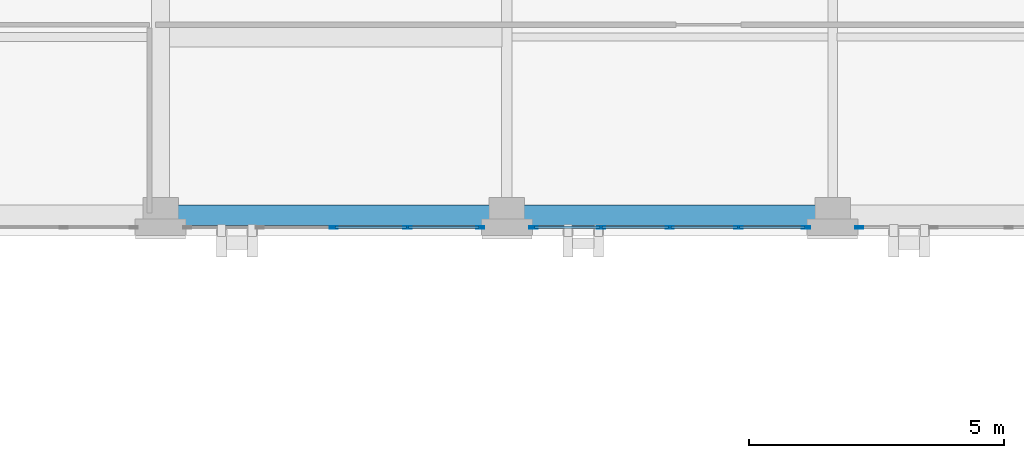
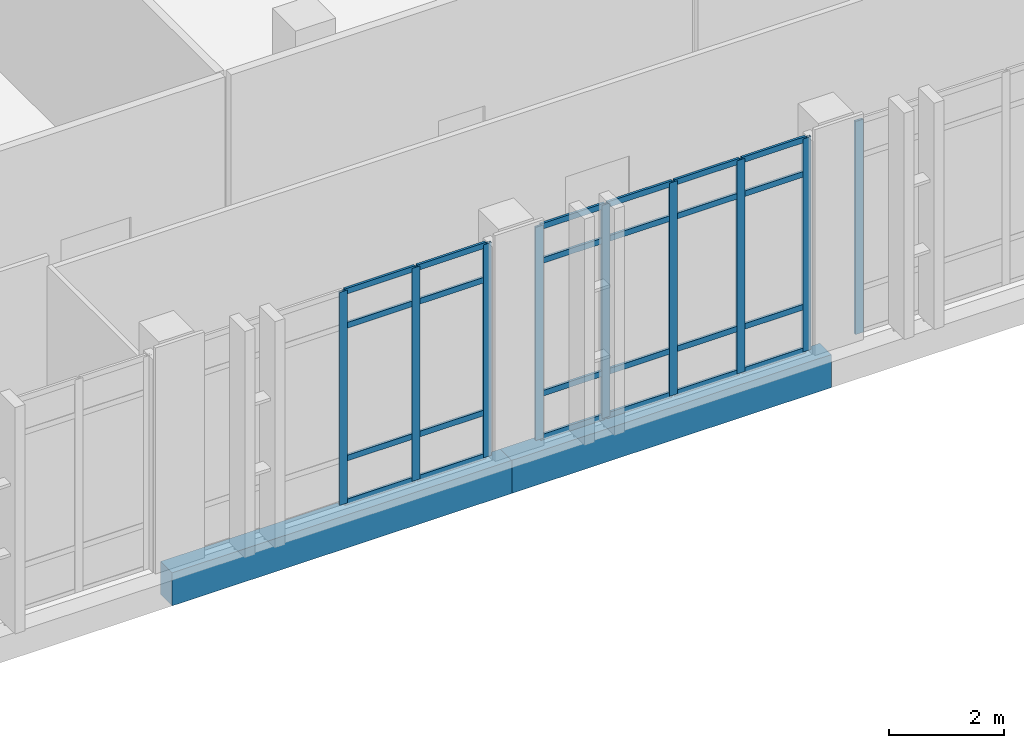
# One storey, part 84 of 189: 33 members, 2 beams, 3 elements without a shape of their own.
"""IFC4 building model written with IfcOpenShell, lengths in metres."""

from ifc_helpers import new_model, si_unit, direction, frame, origin, origin_2d, place, context, subcontext, project, spatial, rectangle, hollow_rectangle, extrude, material, layer, layer_set, material_profile, profile_set, type_object, element, aggregate, save


model = new_model("IFC4")

# Units and contexts
model_context = context("Model", 3, precision=1e-05, world=origin(), true_north=direction((0.0, 1.0)))
body_context = subcontext(model_context, "Body", "Model", "MODEL_VIEW")
ifc_project = project(units=[si_unit("LENGTHUNIT", "METRE"), si_unit("AREAUNIT", "SQUARE_METRE"), si_unit("VOLUMEUNIT", "CUBIC_METRE"), si_unit("PLANEANGLEUNIT", "RADIAN"), si_unit("MASSUNIT", "GRAM", prefix="KILO")], contexts=[model_context])

# Site, building, storey
site_placement = place(None, origin())
site = spatial("IfcSite", under=ifc_project, at=site_placement, CompositionType="ELEMENT")
building_placement = place(site_placement, origin())
building = spatial("IfcBuilding", under=site, at=building_placement, Name="Qalavern Law Courts", CompositionType="ELEMENT")
storey_placement = place(building_placement, frame((0.0, 0.0, 5.39990234375)))
storey = spatial("IfcBuildingStorey", under=building, at=storey_placement, Name="L01", CompositionType="ELEMENT", Elevation=5.39990234375)

# Curtain wall, members
ifc_material_1 = material(Name="Anodised aluminium and insulated glazing", Category="aluminium")
ifc_layer = layer(ifc_material_1, 0.166015625)
ifc_layer_set = layer_set([ifc_layer], Name="Anodised aluminium and insulated glazing")
curtain_wall_type = type_object("IfcCurtainWallType", Name="ENV-CW-LIB", PredefinedType="USERDEFINED", material=ifc_layer_set)
curtain_wall_1_placement = place(storey_placement, origin())
curtain_wall_1 = element("IfcCurtainWall", 1, at=curtain_wall_1_placement, inside=storey, type_object=curtain_wall_type, Name="V5 unitised curtain wall L01 south 4", ObjectType="UNITISED CURTAIN WALL", PredefinedType="USERDEFINED")
ifc_material_2 = material(Name="Anodised aluminium", Category="aluminium")
ifc_material_profile_1 = material_profile(ifc_material_2, hollow_rectangle(XDim=0.048095703125, YDim=0.159912109375, WallThickness=0.00390625, at=origin_2d()), Name="ALU MULLION 48x160")
ifc_profile_set_1 = profile_set([ifc_material_profile_1], Name="Anodised aluminium")
member_type_1 = type_object("IfcMemberType", Name="ENV-CWM-48x160", PredefinedType="MULLION", material=ifc_profile_set_1)
member_1_placement = place(storey_placement, frame((48.199951171875, 96.362548828125, 0.0), z_axis=(0.0, 0.0, 1.0), x_axis=(0.0, 1.0, 0.0)))
member_1 = element("IfcMember", 2, at=member_1_placement, type_object=member_type_1, Name="CW-05 mullion 3", PredefinedType="MULLION", context=body_context, shape_type="SweptSolid", body=[
    extrude(hollow_rectangle(XDim=0.048095703125, YDim=0.159912109375, WallThickness=0.00390625, at=origin_2d()), origin(), (0.0, 0.0, 1.0), 4.510009765625),
])
member_2_placement = place(storey_placement, frame((49.64990234375, 96.362548828125, 0.0), z_axis=(0.0, 0.0, 1.0), x_axis=(0.0, 1.0, 0.0)))
member_2 = element("IfcMember", 3, at=member_2_placement, type_object=member_type_1, Name="CW-05 mullion 4", PredefinedType="MULLION", context=body_context, shape_type="SweptSolid", body=[
    extrude(hollow_rectangle(XDim=0.048095703125, YDim=0.159912109375, WallThickness=0.00390625, at=origin_2d()), origin(), (0.0, 0.0, 1.0), 4.510009765625),
])
member_3_placement = place(storey_placement, frame((51.075927734375, 96.362548828125, 0.0), z_axis=(0.0, 0.0, 1.0), x_axis=(0.0, 1.0, 0.0)))
member_3 = element("IfcMember", 4, at=member_3_placement, type_object=member_type_1, Name="CW-05 mullion 5", PredefinedType="MULLION", context=body_context, shape_type="SweptSolid", body=[
    extrude(hollow_rectangle(XDim=0.048095703125, YDim=0.159912109375, WallThickness=0.00390625, at=origin_2d()), origin(), (0.0, 0.0, 1.0), 4.510009765625),
])

curtain_wall_2_placement = place(storey_placement, origin())
curtain_wall_2 = element("IfcCurtainWall", 5, at=curtain_wall_2_placement, inside=storey, type_object=curtain_wall_type, Name="V5 unitised curtain wall L01 south 5", ObjectType="UNITISED CURTAIN WALL", PredefinedType="USERDEFINED")
member_4_placement = place(storey_placement, frame((52.1240234375, 96.362548828125, 0.0), z_axis=(0.0, 0.0, 1.0), x_axis=(0.0, 1.0, 0.0)))
member_4 = element("IfcMember", 6, at=member_4_placement, type_object=member_type_1, Name="CW-05 mullion 1", PredefinedType="MULLION", context=body_context, shape_type="SweptSolid", body=[
    extrude(hollow_rectangle(XDim=0.048095703125, YDim=0.159912109375, WallThickness=0.00390625, at=origin_2d()), origin(), (0.0, 0.0, 1.0), 4.510009765625),
])
member_5_placement = place(storey_placement, frame((53.449951171875, 96.362548828125, 0.0), z_axis=(0.0, 0.0, 1.0), x_axis=(0.0, 1.0, 0.0)))
member_5 = element("IfcMember", 7, at=member_5_placement, type_object=member_type_1, Name="CW-05 mullion 2", PredefinedType="MULLION", context=body_context, shape_type="SweptSolid", body=[
    extrude(hollow_rectangle(XDim=0.048095703125, YDim=0.159912109375, WallThickness=0.00390625, at=origin_2d()), origin(), (0.0, 0.0, 1.0), 4.510009765625),
])
member_6_placement = place(storey_placement, frame((54.800048828125, 96.362548828125, 0.0), z_axis=(0.0, 0.0, 1.0), x_axis=(0.0, 1.0, 0.0)))
member_6 = element("IfcMember", 8, at=member_6_placement, type_object=member_type_1, Name="CW-05 mullion 3", PredefinedType="MULLION", context=body_context, shape_type="SweptSolid", body=[
    extrude(hollow_rectangle(XDim=0.048095703125, YDim=0.159912109375, WallThickness=0.00390625, at=origin_2d()), origin(), (0.0, 0.0, 1.0), 4.510009765625),
])
member_7_placement = place(storey_placement, frame((56.14990234375, 96.362548828125, 0.0), z_axis=(0.0, 0.0, 1.0), x_axis=(0.0, 1.0, 0.0)))
member_7 = element("IfcMember", 9, at=member_7_placement, type_object=member_type_1, Name="CW-05 mullion 4", PredefinedType="MULLION", context=body_context, shape_type="SweptSolid", body=[
    extrude(hollow_rectangle(XDim=0.048095703125, YDim=0.159912109375, WallThickness=0.00390625, at=origin_2d()), origin(), (0.0, 0.0, 1.0), 4.510009765625),
])
member_8_placement = place(storey_placement, frame((57.47607421875, 96.362548828125, 0.0), z_axis=(0.0, 0.0, 1.0), x_axis=(0.0, 1.0, 0.0)))
member_8 = element("IfcMember", 10, at=member_8_placement, type_object=member_type_1, Name="CW-05 mullion 5", PredefinedType="MULLION", context=body_context, shape_type="SweptSolid", body=[
    extrude(hollow_rectangle(XDim=0.048095703125, YDim=0.159912109375, WallThickness=0.00390625, at=origin_2d()), origin(), (0.0, 0.0, 1.0), 4.510009765625),
])

# Curtain wall, member
curtain_wall_3_placement = place(storey_placement, origin())
curtain_wall_3 = element("IfcCurtainWall", 11, at=curtain_wall_3_placement, inside=storey, type_object=curtain_wall_type, Name="V5 unitised curtain wall L01 south 6", ObjectType="UNITISED CURTAIN WALL", PredefinedType="USERDEFINED")
member_9_placement = place(storey_placement, frame((58.52392578125, 96.362548828125, 0.0), z_axis=(0.0, 0.0, 1.0), x_axis=(0.0, 1.0, 0.0)))
member_9 = element("IfcMember", 12, at=member_9_placement, type_object=member_type_1, Name="CW-05 mullion 1", PredefinedType="MULLION", context=body_context, shape_type="SweptSolid", body=[
    extrude(hollow_rectangle(XDim=0.048095703125, YDim=0.159912109375, WallThickness=0.00390625, at=origin_2d()), origin(), (0.0, 0.0, 1.0), 4.510009765625),
])
aggregate(curtain_wall_3, [member_9])

# Member
ifc_material_profile_2 = material_profile(ifc_material_2, hollow_rectangle(XDim=0.048095703125, YDim=0.1201171875, WallThickness=0.00390625, at=origin_2d()), Name="ALU TRANSOM 48x120")
ifc_profile_set_2 = profile_set([ifc_material_profile_2], Name="Anodised aluminium")
member_type_2 = type_object("IfcMemberType", Name="ENV-CWT-48x120", PredefinedType="USERDEFINED", material=ifc_profile_set_2)
member_10_placement = place(storey_placement, frame((48.22412109375, 96.362548828125, 0.024169921875), z_axis=(1.0, 0.0, 0.0), x_axis=(0.0, 1.0, 0.0)))
member_10 = element("IfcMember", 13, at=member_10_placement, type_object=member_type_2, Name="CW-05 transom 3.1", ObjectType="TRANSOM", PredefinedType="USERDEFINED", context=body_context, shape_type="SweptSolid", body=[
    extrude(hollow_rectangle(XDim=0.048095703125, YDim=0.1201171875, WallThickness=0.00390625, at=origin_2d()), origin(), (0.0, 0.0, 1.0), 1.40185546875),
])

member_11_placement = place(storey_placement, frame((48.22412109375, 96.362548828125, 0.9501953125), z_axis=(1.0, 0.0, 0.0), x_axis=(0.0, 1.0, 0.0)))
member_11 = element("IfcMember", 14, at=member_11_placement, type_object=member_type_2, Name="CW-05 transom 3.2", ObjectType="TRANSOM", PredefinedType="USERDEFINED", context=body_context, shape_type="SweptSolid", body=[
    extrude(hollow_rectangle(XDim=0.048095703125, YDim=0.1201171875, WallThickness=0.00390625, at=origin_2d()), origin(), (0.0, 0.0, 1.0), 1.40185546875),
])

member_12_placement = place(storey_placement, frame((48.22412109375, 96.362548828125, 3.760009765625), z_axis=(1.0, 0.0, 0.0), x_axis=(0.0, 1.0, 0.0)))
member_12 = element("IfcMember", 15, at=member_12_placement, type_object=member_type_2, Name="CW-05 transom 3.3", ObjectType="TRANSOM", PredefinedType="USERDEFINED", context=body_context, shape_type="SweptSolid", body=[
    extrude(hollow_rectangle(XDim=0.048095703125, YDim=0.1201171875, WallThickness=0.00390625, at=origin_2d()), origin(), (0.0, 0.0, 1.0), 1.40185546875),
])

member_13_placement = place(storey_placement, frame((48.22412109375, 96.362548828125, 4.486083984375), z_axis=(1.0, 0.0, 0.0), x_axis=(0.0, 1.0, 0.0)))
member_13 = element("IfcMember", 16, at=member_13_placement, type_object=member_type_2, Name="CW-05 transom 3.4", ObjectType="TRANSOM", PredefinedType="USERDEFINED", context=body_context, shape_type="SweptSolid", body=[
    extrude(hollow_rectangle(XDim=0.048095703125, YDim=0.1201171875, WallThickness=0.00390625, at=origin_2d()), origin(), (0.0, 0.0, 1.0), 1.40185546875),
])

member_14_placement = place(storey_placement, frame((49.674072265625, 96.362548828125, 0.024169921875), z_axis=(1.0, 0.0, 0.0), x_axis=(0.0, 1.0, 0.0)))
member_14 = element("IfcMember", 17, at=member_14_placement, type_object=member_type_2, Name="CW-05 transom 4.1", ObjectType="TRANSOM", PredefinedType="USERDEFINED", context=body_context, shape_type="SweptSolid", body=[
    extrude(hollow_rectangle(XDim=0.048095703125, YDim=0.1201171875, WallThickness=0.00390625, at=origin_2d()), origin(), (0.0, 0.0, 1.0), 1.3779296875),
])

member_15_placement = place(storey_placement, frame((49.674072265625, 96.362548828125, 0.9501953125), z_axis=(1.0, 0.0, 0.0), x_axis=(0.0, 1.0, 0.0)))
member_15 = element("IfcMember", 18, at=member_15_placement, type_object=member_type_2, Name="CW-05 transom 4.2", ObjectType="TRANSOM", PredefinedType="USERDEFINED", context=body_context, shape_type="SweptSolid", body=[
    extrude(hollow_rectangle(XDim=0.048095703125, YDim=0.1201171875, WallThickness=0.00390625, at=origin_2d()), origin(), (0.0, 0.0, 1.0), 1.3779296875),
])

member_16_placement = place(storey_placement, frame((49.674072265625, 96.362548828125, 3.760009765625), z_axis=(1.0, 0.0, 0.0), x_axis=(0.0, 1.0, 0.0)))
member_16 = element("IfcMember", 19, at=member_16_placement, type_object=member_type_2, Name="CW-05 transom 4.3", ObjectType="TRANSOM", PredefinedType="USERDEFINED", context=body_context, shape_type="SweptSolid", body=[
    extrude(hollow_rectangle(XDim=0.048095703125, YDim=0.1201171875, WallThickness=0.00390625, at=origin_2d()), origin(), (0.0, 0.0, 1.0), 1.3779296875),
])

member_17_placement = place(storey_placement, frame((49.674072265625, 96.362548828125, 4.486083984375), z_axis=(1.0, 0.0, 0.0), x_axis=(0.0, 1.0, 0.0)))
member_17 = element("IfcMember", 20, at=member_17_placement, type_object=member_type_2, Name="CW-05 transom 4.4", ObjectType="TRANSOM", PredefinedType="USERDEFINED", context=body_context, shape_type="SweptSolid", body=[
    extrude(hollow_rectangle(XDim=0.048095703125, YDim=0.1201171875, WallThickness=0.00390625, at=origin_2d()), origin(), (0.0, 0.0, 1.0), 1.3779296875),
])

aggregate(curtain_wall_1, [member_1, member_2, member_3, member_10, member_11, member_12, member_13, member_14, member_15, member_16, member_17])

member_18_placement = place(storey_placement, frame((52.14794921875, 96.362548828125, 0.024169921875), z_axis=(1.0, 0.0, 0.0), x_axis=(0.0, 1.0, 0.0)))
member_18 = element("IfcMember", 21, at=member_18_placement, type_object=member_type_2, Name="CW-05 transom 1.1", ObjectType="TRANSOM", PredefinedType="USERDEFINED", context=body_context, shape_type="SweptSolid", body=[
    extrude(hollow_rectangle(XDim=0.048095703125, YDim=0.1201171875, WallThickness=0.00390625, at=origin_2d()), origin(), (0.0, 0.0, 1.0), 1.278076171875),
])

member_19_placement = place(storey_placement, frame((52.14794921875, 96.362548828125, 0.9501953125), z_axis=(1.0, 0.0, 0.0), x_axis=(0.0, 1.0, 0.0)))
member_19 = element("IfcMember", 22, at=member_19_placement, type_object=member_type_2, Name="CW-05 transom 1.2", ObjectType="TRANSOM", PredefinedType="USERDEFINED", context=body_context, shape_type="SweptSolid", body=[
    extrude(hollow_rectangle(XDim=0.048095703125, YDim=0.1201171875, WallThickness=0.00390625, at=origin_2d()), origin(), (0.0, 0.0, 1.0), 1.278076171875),
])

member_20_placement = place(storey_placement, frame((52.14794921875, 96.362548828125, 3.760009765625), z_axis=(1.0, 0.0, 0.0), x_axis=(0.0, 1.0, 0.0)))
member_20 = element("IfcMember", 23, at=member_20_placement, type_object=member_type_2, Name="CW-05 transom 1.3", ObjectType="TRANSOM", PredefinedType="USERDEFINED", context=body_context, shape_type="SweptSolid", body=[
    extrude(hollow_rectangle(XDim=0.048095703125, YDim=0.1201171875, WallThickness=0.00390625, at=origin_2d()), origin(), (0.0, 0.0, 1.0), 1.278076171875),
])

member_21_placement = place(storey_placement, frame((52.14794921875, 96.362548828125, 4.486083984375), z_axis=(1.0, 0.0, 0.0), x_axis=(0.0, 1.0, 0.0)))
member_21 = element("IfcMember", 24, at=member_21_placement, type_object=member_type_2, Name="CW-05 transom 1.4", ObjectType="TRANSOM", PredefinedType="USERDEFINED", context=body_context, shape_type="SweptSolid", body=[
    extrude(hollow_rectangle(XDim=0.048095703125, YDim=0.1201171875, WallThickness=0.00390625, at=origin_2d()), origin(), (0.0, 0.0, 1.0), 1.278076171875),
])

member_22_placement = place(storey_placement, frame((53.47412109375, 96.362548828125, 0.024169921875), z_axis=(1.0, 0.0, 0.0), x_axis=(0.0, 1.0, 0.0)))
member_22 = element("IfcMember", 25, at=member_22_placement, type_object=member_type_2, Name="CW-05 transom 2.1", ObjectType="TRANSOM", PredefinedType="USERDEFINED", context=body_context, shape_type="SweptSolid", body=[
    extrude(hollow_rectangle(XDim=0.048095703125, YDim=0.1201171875, WallThickness=0.00390625, at=origin_2d()), origin(), (0.0, 0.0, 1.0), 1.3017578125),
])

member_23_placement = place(storey_placement, frame((53.47412109375, 96.362548828125, 0.9501953125), z_axis=(1.0, 0.0, 0.0), x_axis=(0.0, 1.0, 0.0)))
member_23 = element("IfcMember", 26, at=member_23_placement, type_object=member_type_2, Name="CW-05 transom 2.2", ObjectType="TRANSOM", PredefinedType="USERDEFINED", context=body_context, shape_type="SweptSolid", body=[
    extrude(hollow_rectangle(XDim=0.048095703125, YDim=0.1201171875, WallThickness=0.00390625, at=origin_2d()), origin(), (0.0, 0.0, 1.0), 1.3017578125),
])

member_24_placement = place(storey_placement, frame((53.47412109375, 96.362548828125, 3.760009765625), z_axis=(1.0, 0.0, 0.0), x_axis=(0.0, 1.0, 0.0)))
member_24 = element("IfcMember", 27, at=member_24_placement, type_object=member_type_2, Name="CW-05 transom 2.3", ObjectType="TRANSOM", PredefinedType="USERDEFINED", context=body_context, shape_type="SweptSolid", body=[
    extrude(hollow_rectangle(XDim=0.048095703125, YDim=0.1201171875, WallThickness=0.00390625, at=origin_2d()), origin(), (0.0, 0.0, 1.0), 1.3017578125),
])

member_25_placement = place(storey_placement, frame((53.47412109375, 96.362548828125, 4.486083984375), z_axis=(1.0, 0.0, 0.0), x_axis=(0.0, 1.0, 0.0)))
member_25 = element("IfcMember", 28, at=member_25_placement, type_object=member_type_2, Name="CW-05 transom 2.4", ObjectType="TRANSOM", PredefinedType="USERDEFINED", context=body_context, shape_type="SweptSolid", body=[
    extrude(hollow_rectangle(XDim=0.048095703125, YDim=0.1201171875, WallThickness=0.00390625, at=origin_2d()), origin(), (0.0, 0.0, 1.0), 1.3017578125),
])

member_26_placement = place(storey_placement, frame((54.823974609375, 96.362548828125, 0.024169921875), z_axis=(1.0, 0.0, 0.0), x_axis=(0.0, 1.0, 0.0)))
member_26 = element("IfcMember", 29, at=member_26_placement, type_object=member_type_2, Name="CW-05 transom 3.1", ObjectType="TRANSOM", PredefinedType="USERDEFINED", context=body_context, shape_type="SweptSolid", body=[
    extrude(hollow_rectangle(XDim=0.048095703125, YDim=0.1201171875, WallThickness=0.00390625, at=origin_2d()), origin(), (0.0, 0.0, 1.0), 1.302001953125),
])

member_27_placement = place(storey_placement, frame((54.823974609375, 96.362548828125, 0.9501953125), z_axis=(1.0, 0.0, 0.0), x_axis=(0.0, 1.0, 0.0)))
member_27 = element("IfcMember", 30, at=member_27_placement, type_object=member_type_2, Name="CW-05 transom 3.2", ObjectType="TRANSOM", PredefinedType="USERDEFINED", context=body_context, shape_type="SweptSolid", body=[
    extrude(hollow_rectangle(XDim=0.048095703125, YDim=0.1201171875, WallThickness=0.00390625, at=origin_2d()), origin(), (0.0, 0.0, 1.0), 1.302001953125),
])

member_28_placement = place(storey_placement, frame((54.823974609375, 96.362548828125, 3.760009765625), z_axis=(1.0, 0.0, 0.0), x_axis=(0.0, 1.0, 0.0)))
member_28 = element("IfcMember", 31, at=member_28_placement, type_object=member_type_2, Name="CW-05 transom 3.3", ObjectType="TRANSOM", PredefinedType="USERDEFINED", context=body_context, shape_type="SweptSolid", body=[
    extrude(hollow_rectangle(XDim=0.048095703125, YDim=0.1201171875, WallThickness=0.00390625, at=origin_2d()), origin(), (0.0, 0.0, 1.0), 1.302001953125),
])

member_29_placement = place(storey_placement, frame((54.823974609375, 96.362548828125, 4.486083984375), z_axis=(1.0, 0.0, 0.0), x_axis=(0.0, 1.0, 0.0)))
member_29 = element("IfcMember", 32, at=member_29_placement, type_object=member_type_2, Name="CW-05 transom 3.4", ObjectType="TRANSOM", PredefinedType="USERDEFINED", context=body_context, shape_type="SweptSolid", body=[
    extrude(hollow_rectangle(XDim=0.048095703125, YDim=0.1201171875, WallThickness=0.00390625, at=origin_2d()), origin(), (0.0, 0.0, 1.0), 1.302001953125),
])

member_30_placement = place(storey_placement, frame((56.174072265625, 96.362548828125, 0.024169921875), z_axis=(1.0, 0.0, 0.0), x_axis=(0.0, 1.0, 0.0)))
member_30 = element("IfcMember", 33, at=member_30_placement, type_object=member_type_2, Name="CW-05 transom 4.1", ObjectType="TRANSOM", PredefinedType="USERDEFINED", context=body_context, shape_type="SweptSolid", body=[
    extrude(hollow_rectangle(XDim=0.048095703125, YDim=0.1201171875, WallThickness=0.00390625, at=origin_2d()), origin(), (0.0, 0.0, 1.0), 1.27783203125),
])

member_31_placement = place(storey_placement, frame((56.174072265625, 96.362548828125, 0.9501953125), z_axis=(1.0, 0.0, 0.0), x_axis=(0.0, 1.0, 0.0)))
member_31 = element("IfcMember", 34, at=member_31_placement, type_object=member_type_2, Name="CW-05 transom 4.2", ObjectType="TRANSOM", PredefinedType="USERDEFINED", context=body_context, shape_type="SweptSolid", body=[
    extrude(hollow_rectangle(XDim=0.048095703125, YDim=0.1201171875, WallThickness=0.00390625, at=origin_2d()), origin(), (0.0, 0.0, 1.0), 1.27783203125),
])

member_32_placement = place(storey_placement, frame((56.174072265625, 96.362548828125, 3.760009765625), z_axis=(1.0, 0.0, 0.0), x_axis=(0.0, 1.0, 0.0)))
member_32 = element("IfcMember", 35, at=member_32_placement, type_object=member_type_2, Name="CW-05 transom 4.3", ObjectType="TRANSOM", PredefinedType="USERDEFINED", context=body_context, shape_type="SweptSolid", body=[
    extrude(hollow_rectangle(XDim=0.048095703125, YDim=0.1201171875, WallThickness=0.00390625, at=origin_2d()), origin(), (0.0, 0.0, 1.0), 1.27783203125),
])

member_33_placement = place(storey_placement, frame((56.174072265625, 96.362548828125, 4.486083984375), z_axis=(1.0, 0.0, 0.0), x_axis=(0.0, 1.0, 0.0)))
member_33 = element("IfcMember", 36, at=member_33_placement, type_object=member_type_2, Name="CW-05 transom 4.4", ObjectType="TRANSOM", PredefinedType="USERDEFINED", context=body_context, shape_type="SweptSolid", body=[
    extrude(hollow_rectangle(XDim=0.048095703125, YDim=0.1201171875, WallThickness=0.00390625, at=origin_2d()), origin(), (0.0, 0.0, 1.0), 1.27783203125),
])

aggregate(curtain_wall_2, [member_4, member_5, member_6, member_7, member_8, member_18, member_19, member_20, member_21, member_22, member_23, member_24, member_25, member_26, member_27, member_28, member_29, member_30, member_31, member_32, member_33])

# Beams
ifc_material_3 = material(Name="Concrete C40/50", Category="concrete")
ifc_material_profile_3 = material_profile(ifc_material_3, rectangle(XDim=0.39990234375, YDim=0.699951171875, at=origin_2d()), Name="RC 400x700")
ifc_profile_set_3 = profile_set([ifc_material_profile_3], Name="Concrete C40/50")
beam_type = type_object("IfcBeamType", Name="STR-SP-RC400x700", PredefinedType="SPANDREL", material=ifc_profile_set_3)
beam_1_placement = place(storey_placement, frame((44.800048828125, 96.60009765625, -0.64990234375), z_axis=(1.0, 0.0, 0.0), x_axis=(0.0, 1.0, 0.0)))
element("IfcBeam", 37, at=beam_1_placement, inside=storey, type_object=beam_type, Name="V5 X-beam 1-6 L01", PredefinedType="SPANDREL", context=body_context, shape_type="SweptSolid", body=[
    extrude(rectangle(XDim=0.39990234375, YDim=0.699951171875, at=origin_2d()), origin(), (0.0, 0.0, 1.0), 6.800048828125),
])
beam_2_placement = place(storey_placement, frame((51.60009765625, 96.60009765625, -0.64990234375), z_axis=(1.0, 0.0, 0.0), x_axis=(0.0, 1.0, 0.0)))
element("IfcBeam", 38, at=beam_2_placement, inside=storey, type_object=beam_type, Name="V5 X-beam 1-7 L01", PredefinedType="SPANDREL", context=body_context, shape_type="SweptSolid", body=[
    extrude(rectangle(XDim=0.39990234375, YDim=0.699951171875, at=origin_2d()), origin(), (0.0, 0.0, 1.0), 6.39990234375),
])

save(model, "model.ifc")
